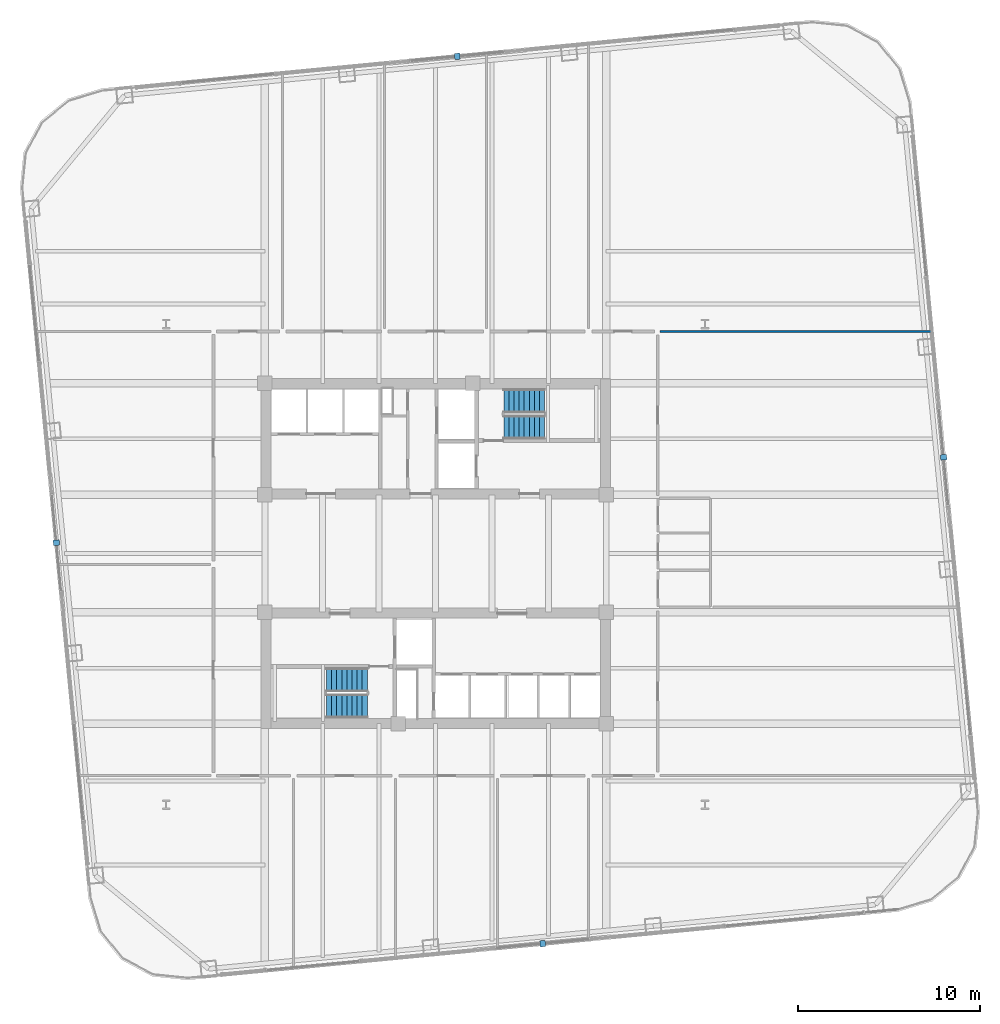
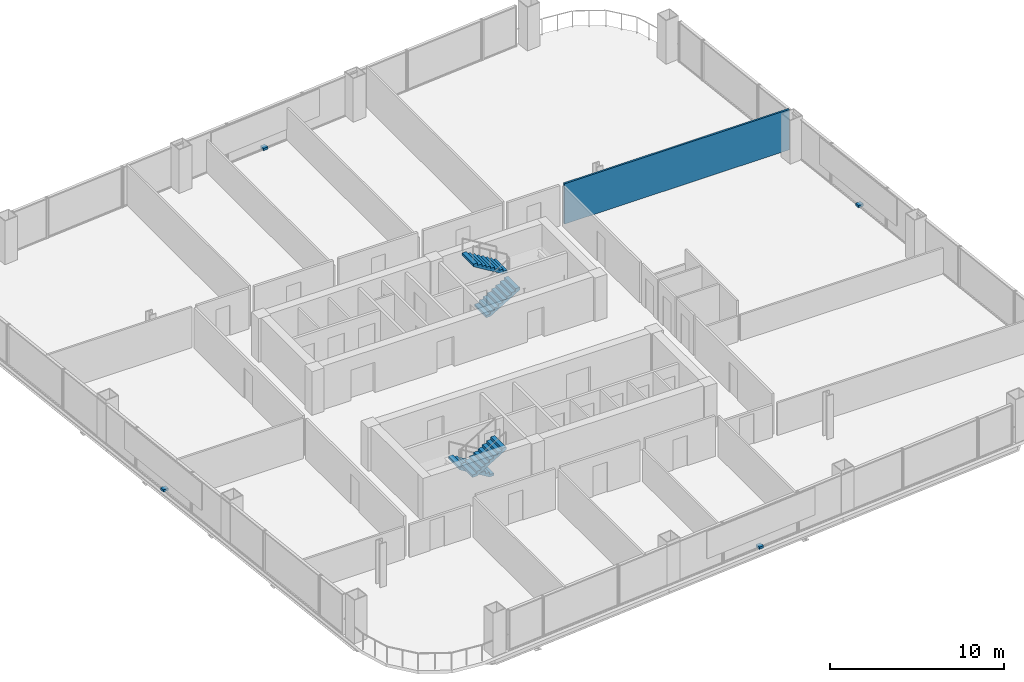
# One storey, part 24 of 27: 4 discrete accessories, 4 stair flights, 1 wall, 2 elements without a shape of their own.
"""IFC4 building model written with IfcOpenShell, lengths in metres."""

from ifc_helpers import new_model, si_unit, direction, frame, frame_2d, origin, origin_2d, place, context, subcontext, project, spatial, polyline, rectangle, outline, extrude, material, layer, layer_set, type_object, element, aggregate, save


model = new_model("IFC4")

# Units and contexts
model_context = context("Model", 3, precision=1e-05, world=origin(), true_north=direction((0.0, 1.0)))
body_context = subcontext(model_context, "Body", "Model", "MODEL_VIEW")
ifc_project = project(units=[si_unit("LENGTHUNIT", "METRE"), si_unit("AREAUNIT", "SQUARE_METRE"), si_unit("VOLUMEUNIT", "CUBIC_METRE"), si_unit("PLANEANGLEUNIT", "RADIAN"), si_unit("MASSUNIT", "GRAM", prefix="KILO")], contexts=[model_context])

# Site, building, storey
site_placement = place(None, origin())
site = spatial("IfcSite", under=ifc_project, at=site_placement, CompositionType="ELEMENT")
building_placement = place(site_placement, origin())
building = spatial("IfcBuilding", under=site, at=building_placement, Name="Qhalaya Broadcast Tower", CompositionType="ELEMENT")
storey_placement = place(building_placement, frame((0.0, 0.0, 84.699951171875)))
storey = spatial("IfcBuildingStorey", under=building, at=storey_placement, Name="L24", CompositionType="ELEMENT", Elevation=84.699951171875)

# Wall
ifc_material_1 = material(Name="Gypsum Acoustic Partition")
ifc_layer = layer(ifc_material_1, 0.1201171875, Name="Gypsum Acoustic Partition")
ifc_layer_set = layer_set([ifc_layer], Name="Gypsum Acoustic Partition")
wall_type = type_object("IfcWallType", Name="Office, Booth & Sanitary Partition 120", PredefinedType="PARTITIONING", material=ifc_layer_set)
wall_placement = place(storey_placement, frame((12.340087890625, 12.800048828125, 0.0), z_axis=(0.0, 0.0, 1.0), x_axis=(1.0, 0.0, 0.0)))
element("IfcWall", 1, at=wall_placement, inside=storey, type_object=wall_type, Name="L24 Partition Wall W-BNDE1", PredefinedType="PARTITIONING", context=body_context, shape_type="SweptSolid", body=[
    extrude(rectangle(XDim=14.901611328125, YDim=0.1201171875, at=frame_2d((7.45068359375, 0.0))), origin(), (0.0, 0.0, 1.0), 2.830078125),
])

# Stair, stair flights
ifc_material_2 = material(Name="Concrete C40/50", Category="concrete")
stair_type = type_object("IfcStairType", Name="Protected Dogleg Core Stair 3150", PredefinedType="TWO_STRAIGHT_RUN_STAIR", material=ifc_material_2)
stair_1_placement = place(storey_placement, origin())
stair_1 = element("IfcStair", 2, at=stair_1_placement, inside=storey, type_object=stair_type, Name="L24 North Core Exit Stair ST-1", PredefinedType="TWO_STRAIGHT_RUN_STAIR")
ifc_material_3 = material(Name="Precast Concrete C40/50", Category="concrete")
stair_flight_type = type_object("IfcStairFlightType", Name="Precast Concrete Stair Flight 3150", PredefinedType="STRAIGHT", material=ifc_material_3)
stair_flight_1_placement = place(storey_placement, frame((3.75, 7.5400390625, 0.0), z_axis=(0.0, 0.0, 1.0), x_axis=(1.0, 0.0, 0.0)))
stair_flight_1 = element("IfcStairFlight", 3, at=stair_flight_1_placement, type_object=stair_flight_type, Name="ST-1 flight 1", NumberOfRisers=9, NumberOfTreads=8, PredefinedType="STRAIGHT", RiserHeight=0.169444444, TreadLength=0.28, context=body_context, shape_type="SweptSolid", body=[
    extrude(outline(polyline([(0.0, 0.0), (0.0, 0.16943359375), (0.280029296875, 0.16943359375), (0.280029296875, 0.3388671875), (0.56005859375, 0.3388671875), (0.56005859375, 0.50830078125), (0.840087890625, 0.50830078125), (0.840087890625, 0.677734375), (1.1201171875, 0.677734375), (1.1201171875, 0.84716796875), (1.39990234375, 0.84716796875), (1.39990234375, 1.0166015625), (1.679931640625, 1.0166015625), (1.679931640625, 1.18603515625), (1.9599609375, 1.18603515625), (1.9599609375, 1.35546875), (2.239990234375, 1.35546875), (2.239990234375, 1.52490234375), (2.239990234375, 1.180419921875), (0.28955078125, 0.0), (0.0, 0.0)])), frame((0.0, 0.66015625, 0.0), z_axis=(0.0, -1.0, 0.0), x_axis=(1.0, 0.0, 0.0)), (0.0, 0.0, 1.0), 1.320068359375),
])
stair_flight_2_placement = place(storey_placement, frame((5.989990234375, 8.97998046875, 1.525146484375), z_axis=(0.0, 0.0, 1.0), x_axis=(-1.0, 0.0, 0.0)))
stair_flight_2 = element("IfcStairFlight", 4, at=stair_flight_2_placement, type_object=stair_flight_type, Name="ST-1 flight 2", NumberOfRisers=9, NumberOfTreads=8, PredefinedType="STRAIGHT", RiserHeight=0.169444444, TreadLength=0.28, context=body_context, shape_type="SweptSolid", body=[
    extrude(outline(polyline([(0.0, 0.0), (0.0, 0.16943359375), (0.280029296875, 0.16943359375), (0.280029296875, 0.3388671875), (0.56005859375, 0.3388671875), (0.56005859375, 0.50830078125), (0.840087890625, 0.50830078125), (0.840087890625, 0.677734375), (1.1201171875, 0.677734375), (1.1201171875, 0.84716796875), (1.39990234375, 0.84716796875), (1.39990234375, 1.0166015625), (1.679931640625, 1.0166015625), (1.679931640625, 1.18603515625), (1.9599609375, 1.18603515625), (1.9599609375, 1.35546875), (2.239990234375, 1.35546875), (2.239990234375, 1.52490234375), (2.239990234375, 1.180419921875), (0.28955078125, 0.0), (0.0, 0.0)])), frame((0.0, 0.66015625, 0.0), z_axis=(0.0, -1.0, 0.0), x_axis=(1.0, 0.0, 0.0)), (0.0, 0.0, 1.0), 1.320068359375),
])
aggregate(stair_1, [stair_flight_1, stair_flight_2])

stair_2_placement = place(storey_placement, origin())
stair_2 = element("IfcStair", 5, at=stair_2_placement, inside=storey, type_object=stair_type, Name="L24 South Core Exit Stair ST-2", PredefinedType="TWO_STRAIGHT_RUN_STAIR")
stair_flight_3_placement = place(storey_placement, frame((-3.75, -6.340087890625, 0.0), z_axis=(0.0, 0.0, 1.0), x_axis=(-1.0, 0.0, 0.0)))
stair_flight_3 = element("IfcStairFlight", 6, at=stair_flight_3_placement, type_object=stair_flight_type, Name="ST-2 flight 1", NumberOfRisers=9, NumberOfTreads=8, PredefinedType="STRAIGHT", RiserHeight=0.169444444, TreadLength=0.28, context=body_context, shape_type="SweptSolid", body=[
    extrude(outline(polyline([(0.0, 0.0), (0.0, 0.16943359375), (0.280029296875, 0.16943359375), (0.280029296875, 0.3388671875), (0.56005859375, 0.3388671875), (0.56005859375, 0.50830078125), (0.840087890625, 0.50830078125), (0.840087890625, 0.677734375), (1.1201171875, 0.677734375), (1.1201171875, 0.84716796875), (1.39990234375, 0.84716796875), (1.39990234375, 1.0166015625), (1.679931640625, 1.0166015625), (1.679931640625, 1.18603515625), (1.9599609375, 1.18603515625), (1.9599609375, 1.35546875), (2.239990234375, 1.35546875), (2.239990234375, 1.52490234375), (2.239990234375, 1.180419921875), (0.28955078125, 0.0), (0.0, 0.0)])), frame((0.0, 0.66015625, 0.0), z_axis=(0.0, -1.0, 0.0), x_axis=(1.0, 0.0, 0.0)), (0.0, 0.0, 1.0), 1.320068359375),
])
stair_flight_4_placement = place(storey_placement, frame((-5.989990234375, -7.780029296875, 1.525146484375), z_axis=(0.0, 0.0, 1.0), x_axis=(1.0, 0.0, 0.0)))
stair_flight_4 = element("IfcStairFlight", 7, at=stair_flight_4_placement, type_object=stair_flight_type, Name="ST-2 flight 2", NumberOfRisers=9, NumberOfTreads=8, PredefinedType="STRAIGHT", RiserHeight=0.169444444, TreadLength=0.28, context=body_context, shape_type="SweptSolid", body=[
    extrude(outline(polyline([(0.0, 0.0), (0.0, 0.16943359375), (0.280029296875, 0.16943359375), (0.280029296875, 0.3388671875), (0.56005859375, 0.3388671875), (0.56005859375, 0.50830078125), (0.840087890625, 0.50830078125), (0.840087890625, 0.677734375), (1.1201171875, 0.677734375), (1.1201171875, 0.84716796875), (1.39990234375, 0.84716796875), (1.39990234375, 1.0166015625), (1.679931640625, 1.0166015625), (1.679931640625, 1.18603515625), (1.9599609375, 1.18603515625), (1.9599609375, 1.35546875), (2.239990234375, 1.35546875), (2.239990234375, 1.52490234375), (2.239990234375, 1.180419921875), (0.28955078125, 0.0), (0.0, 0.0)])), frame((0.0, 0.66015625, 0.0), z_axis=(0.0, -1.0, 0.0), x_axis=(1.0, 0.0, 0.0)), (0.0, 0.0, 1.0), 1.320068359375),
])
aggregate(stair_2, [stair_flight_3, stair_flight_4])

# Discrete accessories
ifc_material_4 = material(Name="Structural Steel ASTM A572 Grade 50", Category="steel")
discrete_accessory_type = type_object("IfcDiscreteAccessoryType", Name="Facade Baguette Support Bracket BRK-01", PredefinedType="BRACKET", material=ifc_material_4)
for number, where, z_axis, x_axis, name in (
    (8, (5.88623046875, -20.827392578125, 0.0), (0.0, 0.0, 1.0), (0.995396198367, 0.09584575252, 0.0), "L24 Baguette Support Bracket S"),
    (9, (27.9072265625, 5.88623046875, 0.0), (0.0, 0.0, 1.0), (-0.09584575252, 0.995396198367, 0.0), "L24 Baguette Support Bracket E"),
    (10, (1.193603515625, 27.9072265625, 0.0), (0.0, 0.0, 1.0), (-0.995396198367, -0.09584575252, 0.0), "L24 Baguette Support Bracket N"),
    (11, (-20.827392578125, 1.193603515625, 0.0), (0.0, 0.0, 1.0), (0.09584575252, -0.995396198367, 0.0), "L24 Baguette Support Bracket W"),
):
    element("IfcDiscreteAccessory", number, at=place(storey_placement, frame(where, z_axis=z_axis, x_axis=x_axis)), inside=storey, type_object=discrete_accessory_type, Name=name, PredefinedType="BRACKET", context=body_context, shape_type="SweptSolid", body=[
        extrude(rectangle(XDim=0.300048828125, YDim=0.340087890625, at=origin_2d()), origin(), (0.0, 0.0, 1.0), 0.159912109375),
    ])

save(model, "model.ifc")
